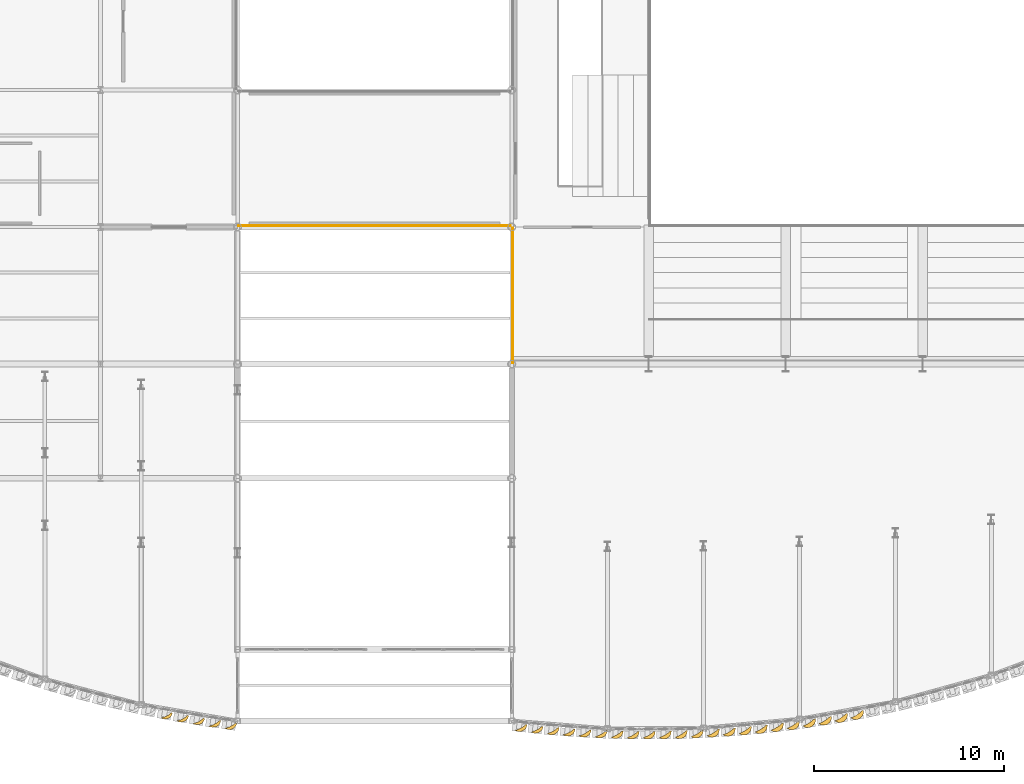
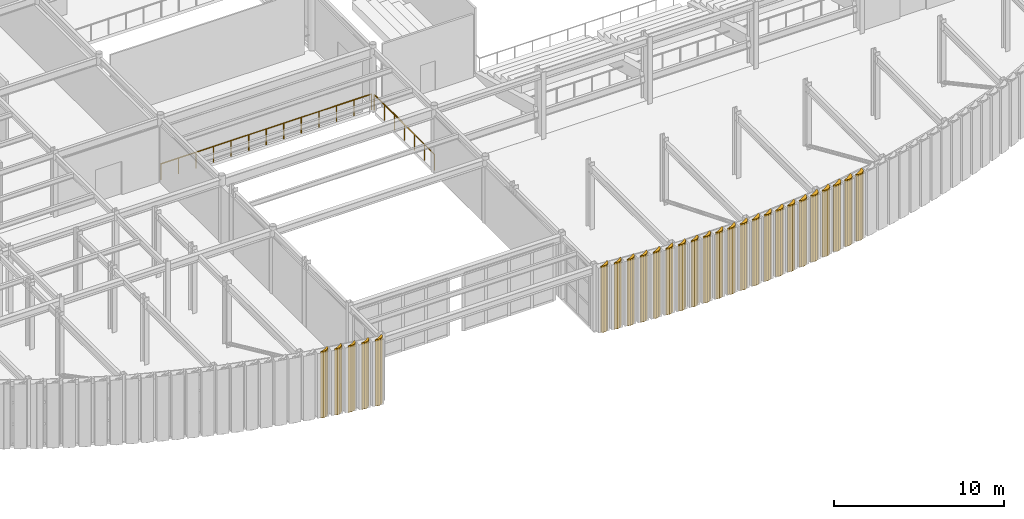
# One storey, part 110 of 121: 27 coverings, 2 railings.
"""IFC4 building model written with IfcOpenShell, lengths in metres."""

import ifcopenshell
import ifcopenshell.guid

model = None  # the IFC model being written
_history = None  # IfcOwnerHistory: only IFC2X3 demands one
_inside = {}  # id of a spatial element -> (the spatial element, [elements in it])
_under = {}  # id of a project, library or spatial element -> (it, [spatial elements below it])
_declared = {}  # id of a project -> (the project, [libraries it declares])
_typed = {}  # id of a type object -> (the type object, [elements of that type])
_made_of = {}  # id of a material, layer set ... -> (it, [elements and type objects made of it])


def new_model(schema):
    """Start an empty IFC model of exactly this schema.

    Asked for "IFC4X3", IfcOpenShell would pick the latest addendum, in which some entities
    have other attributes; the version numbers below select the first issue.
    IFC2X3 requires an IfcOwnerHistory on every rooted entity: one is made here for all.
    """
    global model, _history
    if schema == "IFC4X3":
        model = ifcopenshell.file(schema_version=(4, 3, 0, 0))
    else:
        model = ifcopenshell.file(schema=schema)
    _inside.clear()
    _under.clear()
    _declared.clear()
    _typed.clear()
    _made_of.clear()
    _history = None
    if model.schema == "IFC2X3":
        org = make("IfcOrganization", Name="unknown")
        user = make(
            "IfcPersonAndOrganization",
            ThePerson=make("IfcPerson", FamilyName="unknown"),
            TheOrganization=org,
        )
        app = make(
            "IfcApplication",
            ApplicationDeveloper=org,
            Version="unknown",
            ApplicationFullName="unknown",
            ApplicationIdentifier="unknown",
        )
        _history = make(
            "IfcOwnerHistory",
            OwningUser=user,
            OwningApplication=app,
            ChangeAction="ADDED",
            CreationDate=0,
        )
    return model


def make(cls, **values):
    """One entity of the class cls with the attributes given. An attribute that is None is left unset."""
    return model.create_entity(
        cls, **{name: value for name, value in values.items() if value is not None}
    )


def rooted(cls, **values):
    """An entity with a GlobalId (a new one), such as an element, a storey or a relation."""
    return make(cls, GlobalId=ifcopenshell.guid.new(), OwnerHistory=_history, **values)


def si_unit(unit_type, name, prefix=None):
    """IfcSIUnit, for example si_unit("LENGTHUNIT", "METRE", prefix="MILLI")."""
    return make("IfcSIUnit", UnitType=unit_type, Prefix=prefix, Name=name)


def assignment(units):
    """IfcUnitAssignment: the units of a project."""
    return None if units is None else make("IfcUnitAssignment", Units=units)


def point(xyz):
    """IfcCartesianPoint."""
    return None if xyz is None else make("IfcCartesianPoint", Coordinates=xyz)


def direction(xyz):
    """IfcDirection."""
    return None if xyz is None else make("IfcDirection", DirectionRatios=xyz)


def frame(location, z_axis=None, x_axis=None):
    """IfcAxis2Placement3D, a coordinate frame: its origin and axes. An axis left out is left unset."""
    return make(
        "IfcAxis2Placement3D",
        Location=point(location),
        Axis=direction(z_axis),
        RefDirection=direction(x_axis),
    )


def frame_2d(location, x_axis=None):
    """IfcAxis2Placement2D, a coordinate frame in the plane: its origin and x axis."""
    return make(
        "IfcAxis2Placement2D", Location=point(location), RefDirection=direction(x_axis)
    )


def origin():
    """The frame at (0, 0, 0) with its axes left unset."""
    return frame((0.0, 0.0, 0.0))


def origin_2d():
    """The frame at (0, 0) in the plane with its x axis left unset."""
    return frame_2d((0.0, 0.0))


def place(relative_to, where):
    """IfcLocalPlacement: puts the frame where relative to a parent placement (None: the world)."""
    return make(
        "IfcLocalPlacement", PlacementRelTo=relative_to, RelativePlacement=where
    )


def context(
    kind, dimensions, precision=None, world=None, true_north=None, identifier=None
):
    """IfcGeometricRepresentationContext, for example the 3D "Model" context."""
    return make(
        "IfcGeometricRepresentationContext",
        ContextIdentifier=identifier,
        ContextType=kind,
        CoordinateSpaceDimension=dimensions,
        Precision=precision,
        WorldCoordinateSystem=world,
        TrueNorth=true_north,
    )


def subcontext(parent, identifier, kind, view, scale=None):
    """IfcGeometricRepresentationSubContext, for example "Body" below "Model"."""
    return make(
        "IfcGeometricRepresentationSubContext",
        ContextIdentifier=identifier,
        ContextType=kind,
        ParentContext=parent,
        TargetScale=scale,
        TargetView=view,
    )


def project(units=None, contexts=None):
    """IfcProject with its units and contexts."""
    return rooted(
        "IfcProject",
        Name="project",
        RepresentationContexts=contexts,
        UnitsInContext=assignment(units),
    )


def spatial(cls, under=None, at=None, **own):
    """A site, building, storey or space (cls), placed at a placement, below another one or the project."""
    s = rooted(cls, ObjectPlacement=at, **own)
    if under is not None:
        _under.setdefault(under.id(), (under, []))[1].append(s)
    return s


def polyline(points):
    """IfcPolyline through the points."""
    return make("IfcPolyline", Points=[point(p) for p in points])


def profile(cls, at=None, kind="AREA", **sizes):
    """A parametric profile (cls). Its sizes go by their IFC names, for example OverallWidth=200.0."""
    return make(cls, ProfileType=kind, Position=at, **sizes)


def circle(**sizes):
    """IfcCircleProfileDef."""
    return profile("IfcCircleProfileDef", **sizes)


def outline(outer, holes=None, kind="AREA"):
    """IfcArbitraryClosedProfileDef: a profile drawn as a closed curve; with holes, ...WithVoids."""
    if holes is None:
        return make("IfcArbitraryClosedProfileDef", ProfileType=kind, OuterCurve=outer)
    return make(
        "IfcArbitraryProfileDefWithVoids",
        ProfileType=kind,
        OuterCurve=outer,
        InnerCurves=holes,
    )


def extrude(swept, where, along, depth):
    """IfcExtrudedAreaSolid: the profile swept, set in the frame where, extruded along a direction by depth."""
    return make(
        "IfcExtrudedAreaSolid",
        SweptArea=swept,
        Position=where,
        ExtrudedDirection=direction(along),
        Depth=depth,
    )


def shape(context_of_items, identifier, shape_type, items):
    """IfcShapeRepresentation: the items that make up one representation, for example the "Body"."""
    return make(
        "IfcShapeRepresentation",
        ContextOfItems=context_of_items,
        RepresentationIdentifier=identifier,
        RepresentationType=shape_type,
        Items=items,
    )


def material(Name=None, Category=None):
    """IfcMaterial."""
    return make("IfcMaterial", Name=Name, Category=Category)


def layer(
    of_material, thickness, ventilated=None, Name=None, Category=None, Priority=None
):
    """IfcMaterialLayer: one layer of a wall or slab, of a material (None: an air gap)."""
    return make(
        "IfcMaterialLayer",
        Material=of_material,
        LayerThickness=thickness,
        IsVentilated=ventilated,
        Name=Name,
        Category=Category,
        Priority=Priority,
    )


def layer_set(layers, Name=None):
    """IfcMaterialLayerSet."""
    return make("IfcMaterialLayerSet", MaterialLayers=layers, LayerSetName=Name)


def made_of(thing, what):
    """Note that an element or type object is made of a material, layer set ...; save() writes the relation."""
    if what is not None:
        _made_of.setdefault(what.id(), (what, []))[1].append(thing)
    return thing


def type_object(cls, material=None, **own):
    """A type object (cls), such as IfcWallType, which elements share."""
    return made_of(rooted(cls, **own), material)


def element(
    cls,
    number,
    at=None,
    inside=None,
    cuts=None,
    type_object=None,
    material=None,
    context=None,
    identifier="Body",
    shape_type=None,
    held_by="IfcProductDefinitionShape",
    body=None,
    shapes=None,
    **own,
):
    """One element of the class cls, such as IfcWall. Its Tag is "e" and its number.

    at: its placement. inside: the storey or other place that contains it. cuts: it is an
    opening in that element (IfcRelVoidsElement). A single representation is given by context,
    identifier, shape_type and body (its items); several are given by shapes. held_by: the class
    of the entity that holds the representations. save() writes the other relations.
    """
    e = rooted(cls, Tag="e%d" % number, ObjectPlacement=at, **own)
    if body is not None:
        shapes = [shape(context, identifier, shape_type, body)]
    if shapes is not None:
        e.Representation = make(held_by, Representations=shapes)
    if inside is not None:
        _inside.setdefault(inside.id(), (inside, []))[1].append(e)
    if cuts is not None:
        rooted(
            "IfcRelVoidsElement", RelatingBuildingElement=cuts, RelatedOpeningElement=e
        )
    if type_object is not None:
        _typed.setdefault(type_object.id(), (type_object, []))[1].append(e)
    return made_of(e, material)


def aggregate(whole, parts):
    """IfcRelAggregates: a whole, such as a stair, and the parts it consists of."""
    return rooted("IfcRelAggregates", RelatingObject=whole, RelatedObjects=parts)


def save(model, path):
    """Write the relations noted so far, then the file.

    IfcRelAggregates (storeys below a building ...), IfcRelContainedInSpatialStructure (elements
    in a storey), IfcRelDefinesByType, IfcRelAssociatesMaterial and IfcRelDeclares: one each for
    every whole, place, type object, material and project.
    """
    for whole, parts in _under.values():
        aggregate(whole, parts)
    for where, things in _inside.values():
        rooted(
            "IfcRelContainedInSpatialStructure",
            RelatedElements=things,
            RelatingStructure=where,
        )
    for kind, things in _typed.values():
        rooted("IfcRelDefinesByType", RelatedObjects=things, RelatingType=kind)
    for what, things in _made_of.values():
        rooted("IfcRelAssociatesMaterial", RelatedObjects=things, RelatingMaterial=what)
    for by, libraries in _declared.values():
        rooted("IfcRelDeclares", RelatingContext=by, RelatedDefinitions=libraries)
    model.write(path)


model = new_model("IFC4")

# Units and contexts
model_context = context("Model", 3, precision=1e-05, world=origin(), true_north=direction((0.0, 1.0)))
body_context = subcontext(model_context, "Body", "Model", "MODEL_VIEW")
ifc_project = project(units=[si_unit("LENGTHUNIT", "METRE"), si_unit("AREAUNIT", "SQUARE_METRE"), si_unit("VOLUMEUNIT", "CUBIC_METRE"), si_unit("PLANEANGLEUNIT", "RADIAN"), si_unit("MASSUNIT", "GRAM", prefix="KILO")], contexts=[model_context])

# Site, building, storey
site_placement = place(None, origin())
site = spatial("IfcSite", under=ifc_project, at=site_placement, CompositionType="ELEMENT")
building_placement = place(site_placement, origin())
building = spatial("IfcBuilding", under=site, at=building_placement, Name="Solvadek Multi-Sports Hall", CompositionType="ELEMENT")
storey_placement = place(building_placement, frame((0.0, 0.0, 4.800048828125)))
storey = spatial("IfcBuildingStorey", under=building, at=storey_placement, Name="L01", CompositionType="ELEMENT", Elevation=4.800048828125)

# Coverings
ifc_material_1 = material(Name="Perforated champagne-bronze anodised aluminium", Category="aluminium")
ifc_layer = layer(ifc_material_1, 0.06494140625, Name="Perforated champagne-bronze anodised aluminium")
ifc_layer_set = layer_set([ifc_layer], Name="Perforated champagne-bronze anodised aluminium")
covering_type = type_object("IfcCoveringType", Name="ENV-COV-FLUTED", PredefinedType="CLADDING", material=ifc_layer_set)
covering_1_placement = place(storey_placement, frame((0.0, 0.0, 0.010009765625)))
element("IfcCovering", 1, at=covering_1_placement, inside=storey, type_object=covering_type, Name="L01 Perforated Bronze Half-Cylinder Fluted Shell #98", PredefinedType="CLADDING", context=body_context, shape_type="SweptSolid", body=[
    extrude(outline(polyline([(68.5869140625, -12.325439453125), (68.525634765625, -12.47314453125), (68.412353515625, -12.586181640625), (68.264404296875, -12.647216796875), (68.1044921875, -12.647216796875), (67.956787109375, -12.585693359375), (67.84375, -12.472412109375), (67.78271484375, -12.32470703125), (67.782958984375, -12.16455078125), (67.8466796875, -12.177490234375), (67.742919921875, -12.31201171875), (67.70654296875, -12.436279296875), (67.742919921875, -12.53173828125), (67.8466796875, -12.58349609375), (68.001953125, -12.58349609375), (68.18505859375, -12.5322265625), (68.367919921875, -12.43701171875), (68.523193359375, -12.312744140625), (68.5869140625, -12.325439453125)])), origin(), (0.0, 0.0, 1.0), 4.77001953125),
])
covering_2_placement = place(storey_placement, frame((0.0, 0.0, 0.010009765625)))
element("IfcCovering", 2, at=covering_2_placement, inside=storey, type_object=covering_type, Name="L01 Perforated Bronze Half-Cylinder Fluted Shell #101", PredefinedType="CLADDING", context=body_context, shape_type="SweptSolid", body=[
    extrude(outline(polyline([(69.435546875, -12.47021484375), (69.37841796875, -12.61962890625), (69.2685546875, -12.73583984375), (69.12255859375, -12.80126953125), (68.962646484375, -12.8056640625), (68.813232421875, -12.748779296875), (68.697021484375, -12.638916015625), (68.631591796875, -12.492919921875), (68.627197265625, -12.3330078125), (68.691162109375, -12.34375), (68.5869140625, -12.478515625), (68.55029296875, -12.601318359375), (68.5869140625, -12.693603515625), (68.691162109375, -12.74169921875), (68.84716796875, -12.73779296875), (69.03125, -12.682861328125), (69.21533203125, -12.5849609375), (69.371337890625, -12.459228515625), (69.435546875, -12.47021484375)])), origin(), (0.0, 0.0, 1.0), 4.77001953125),
])
covering_3_placement = place(storey_placement, frame((0.0, 0.0, 0.010009765625)))
element("IfcCovering", 3, at=covering_3_placement, inside=storey, type_object=covering_type, Name="L01 Perforated Bronze Half-Cylinder Fluted Shell #102", PredefinedType="CLADDING", context=body_context, shape_type="SweptSolid", body=[
    extrude(outline(polyline([(70.27880859375, -12.613037109375), (70.221923828125, -12.7626953125), (70.112060546875, -12.87890625), (69.966064453125, -12.9443359375), (69.80615234375, -12.94873046875), (69.656494140625, -12.891845703125), (69.540283203125, -12.781982421875), (69.47509765625, -12.635986328125), (69.470458984375, -12.47607421875), (69.534423828125, -12.48681640625), (69.430419921875, -12.621337890625), (69.3935546875, -12.744384765625), (69.430419921875, -12.836669921875), (69.534423828125, -12.884765625), (69.690673828125, -12.880859375), (69.874755859375, -12.825927734375), (70.058837890625, -12.72802734375), (70.21484375, -12.602294921875), (70.27880859375, -12.613037109375)])), origin(), (0.0, 0.0, 1.0), 4.77001953125),
])
covering_4_placement = place(storey_placement, frame((0.0, 0.0, 0.010009765625)))
element("IfcCovering", 4, at=covering_4_placement, inside=storey, type_object=covering_type, Name="L01 Perforated Bronze Half-Cylinder Fluted Shell #105", PredefinedType="CLADDING", context=body_context, shape_type="SweptSolid", body=[
    extrude(outline(polyline([(71.127197265625, -12.732177734375), (71.074462890625, -12.883056640625), (70.968017578125, -13.002685546875), (70.823974609375, -13.072265625), (70.664306640625, -13.08154296875), (70.51318359375, -13.02880859375), (70.393798828125, -12.922607421875), (70.32421875, -12.7783203125), (70.31494140625, -12.61865234375), (70.37939453125, -12.627685546875), (70.274658203125, -12.76220703125), (70.23779296875, -12.88330078125), (70.274658203125, -12.972900390625), (70.37939453125, -13.01708984375), (70.5361328125, -13.00927734375), (70.720947265625, -12.95068359375), (70.906005859375, -12.85009765625), (71.062744140625, -12.72314453125), (71.127197265625, -12.732177734375)])), origin(), (0.0, 0.0, 1.0), 4.77001953125),
])
covering_5_placement = place(storey_placement, frame((0.0, 0.0, 0.010009765625)))
element("IfcCovering", 5, at=covering_5_placement, inside=storey, type_object=covering_type, Name="L01 Perforated Bronze Half-Cylinder Fluted Shell #106", PredefinedType="CLADDING", context=body_context, shape_type="SweptSolid", body=[
    extrude(outline(polyline([(71.970458984375, -12.849853515625), (71.91796875, -13.000732421875), (71.8115234375, -13.120361328125), (71.66748046875, -13.18994140625), (71.5078125, -13.19921875), (71.356689453125, -13.146484375), (71.2373046875, -13.040283203125), (71.16748046875, -12.89599609375), (71.158447265625, -12.736328125), (71.222900390625, -12.745361328125), (71.117919921875, -12.8798828125), (71.081298828125, -13.0009765625), (71.117919921875, -13.090576171875), (71.222900390625, -13.134765625), (71.37939453125, -13.126953125), (71.564453125, -13.068359375), (71.74951171875, -12.968017578125), (71.906005859375, -12.8408203125), (71.970458984375, -12.849853515625)])), origin(), (0.0, 0.0, 1.0), 4.77001953125),
])
covering_6_placement = place(storey_placement, frame((0.0, 0.0, 0.010009765625)))
element("IfcCovering", 6, at=covering_6_placement, inside=storey, type_object=covering_type, Name="L01 Perforated Bronze Half-Cylinder Fluted Shell #109", PredefinedType="CLADDING", context=body_context, shape_type="SweptSolid", body=[
    extrude(outline(polyline([(87.216552734375, -12.943359375), (87.16845703125, -13.095703125), (87.065673828125, -13.21826171875), (86.923583984375, -13.2919921875), (86.764404296875, -13.305908203125), (86.61181640625, -13.2578125), (86.4892578125, -13.155029296875), (86.415283203125, -13.012939453125), (86.401611328125, -12.853759765625), (86.466064453125, -12.86083984375), (86.361083984375, -12.994873046875), (86.32421875, -13.1142578125), (86.361083984375, -13.200927734375), (86.466064453125, -13.241455078125), (86.62353515625, -13.229736328125), (86.80908203125, -13.16748046875), (86.99462890625, -13.064453125), (87.152099609375, -12.936279296875), (87.216552734375, -12.943359375)])), origin(), (0.0, 0.0, 1.0), 4.77001953125),
])
covering_7_placement = place(storey_placement, frame((0.0, 0.0, 0.010009765625)))
element("IfcCovering", 7, at=covering_7_placement, inside=storey, type_object=covering_type, Name="L01 Perforated Bronze Half-Cylinder Fluted Shell #110", PredefinedType="CLADDING", context=body_context, shape_type="SweptSolid", body=[
    extrude(outline(polyline([(88.056640625, -13.03564453125), (88.00830078125, -13.188232421875), (87.905517578125, -13.310791015625), (87.763671875, -13.384521484375), (87.604248046875, -13.3984375), (87.45166015625, -13.35009765625), (87.3291015625, -13.247314453125), (87.25537109375, -13.10546875), (87.241455078125, -12.946044921875), (87.30615234375, -12.953125), (87.200927734375, -13.087158203125), (87.1640625, -13.206787109375), (87.200927734375, -13.293212890625), (87.30615234375, -13.333740234375), (87.46337890625, -13.322021484375), (87.649169921875, -13.260009765625), (87.834716796875, -13.156982421875), (87.991943359375, -13.028564453125), (88.056640625, -13.03564453125)])), origin(), (0.0, 0.0, 1.0), 4.77001953125),
])
covering_8_placement = place(storey_placement, frame((0.0, 0.0, 0.010009765625)))
element("IfcCovering", 8, at=covering_8_placement, inside=storey, type_object=covering_type, Name="L01 Perforated Bronze Half-Cylinder Fluted Shell #113", PredefinedType="CLADDING", context=body_context, shape_type="SweptSolid", body=[
    extrude(outline(polyline([(88.900634765625, -13.104248046875), (88.85693359375, -13.258056640625), (88.757568359375, -13.383544921875), (88.617919921875, -13.46142578125), (88.458984375, -13.479736328125), (88.30517578125, -13.43603515625), (88.1796875, -13.3369140625), (88.101806640625, -13.197021484375), (88.083251953125, -13.0380859375), (88.148193359375, -13.04345703125), (88.042724609375, -13.177001953125), (88.005615234375, -13.294677734375), (88.042724609375, -13.37841796875), (88.148193359375, -13.4150390625), (88.305908203125, -13.3994140625), (88.491943359375, -13.333984375), (88.677978515625, -13.228515625), (88.835693359375, -13.098876953125), (88.900634765625, -13.104248046875)])), origin(), (0.0, 0.0, 1.0), 4.77001953125),
])
covering_9_placement = place(storey_placement, frame((0.0, 0.0, 0.010009765625)))
element("IfcCovering", 9, at=covering_9_placement, inside=storey, type_object=covering_type, Name="L01 Perforated Bronze Half-Cylinder Fluted Shell #114", PredefinedType="CLADDING", context=body_context, shape_type="SweptSolid", body=[
    extrude(outline(polyline([(89.740478515625, -13.172119140625), (89.697021484375, -13.32568359375), (89.59765625, -13.451416015625), (89.4580078125, -13.529296875), (89.299072265625, -13.547607421875), (89.14501953125, -13.50390625), (89.019775390625, -13.404541015625), (88.94189453125, -13.264892578125), (88.92333984375, -13.10595703125), (88.988037109375, -13.111083984375), (88.8828125, -13.244873046875), (88.845703125, -13.362548828125), (88.8828125, -13.446044921875), (88.988037109375, -13.48291015625), (89.145751953125, -13.46728515625), (89.33203125, -13.40185546875), (89.51806640625, -13.296142578125), (89.67578125, -13.166748046875), (89.740478515625, -13.172119140625)])), origin(), (0.0, 0.0, 1.0), 4.77001953125),
])
covering_10_placement = place(storey_placement, frame((0.0, 0.0, 0.010009765625)))
element("IfcCovering", 10, at=covering_10_placement, inside=storey, type_object=covering_type, Name="L01 Perforated Bronze Half-Cylinder Fluted Shell #117", PredefinedType="CLADDING", context=body_context, shape_type="SweptSolid", body=[
    extrude(outline(polyline([(90.584228515625, -13.2158203125), (90.544921875, -13.37109375), (90.449462890625, -13.499267578125), (90.31201171875, -13.5810546875), (90.15380859375, -13.604248046875), (89.99853515625, -13.56494140625), (89.870361328125, -13.46923828125), (89.78857421875, -13.331787109375), (89.765380859375, -13.173583984375), (89.830322265625, -13.177001953125), (89.724609375, -13.310302734375), (89.6875, -13.42578125), (89.724609375, -13.50634765625), (89.830322265625, -13.539306640625), (89.98828125, -13.52001953125), (90.1748046875, -13.450927734375), (90.361328125, -13.343017578125), (90.519287109375, -13.21240234375), (90.584228515625, -13.2158203125)])), origin(), (0.0, 0.0, 1.0), 4.77001953125),
])
covering_11_placement = place(storey_placement, frame((0.0, 0.0, 0.010009765625)))
element("IfcCovering", 11, at=covering_11_placement, inside=storey, type_object=covering_type, Name="L01 Perforated Bronze Half-Cylinder Fluted Shell #118", PredefinedType="CLADDING", context=body_context, shape_type="SweptSolid", body=[
    extrude(outline(polyline([(91.42431640625, -13.25927734375), (91.385009765625, -13.414306640625), (91.289306640625, -13.54248046875), (91.152099609375, -13.62451171875), (90.99365234375, -13.6474609375), (90.838623046875, -13.6083984375), (90.71044921875, -13.5126953125), (90.62841796875, -13.375244140625), (90.60546875, -13.217041015625), (90.67041015625, -13.22021484375), (90.564697265625, -13.353515625), (90.527587890625, -13.468994140625), (90.564697265625, -13.549560546875), (90.67041015625, -13.58251953125), (90.828369140625, -13.563232421875), (91.014892578125, -13.494384765625), (91.201416015625, -13.386474609375), (91.359375, -13.255859375), (91.42431640625, -13.25927734375)])), origin(), (0.0, 0.0, 1.0), 4.77001953125),
])
covering_12_placement = place(storey_placement, frame((0.0, 0.0, 0.010009765625)))
element("IfcCovering", 12, at=covering_12_placement, inside=storey, type_object=covering_type, Name="L01 Perforated Bronze Half-Cylinder Fluted Shell #121", PredefinedType="CLADDING", context=body_context, shape_type="SweptSolid", body=[
    extrude(outline(polyline([(92.267578125, -13.27880859375), (92.23291015625, -13.434814453125), (92.14111328125, -13.56591796875), (92.006103515625, -13.651611328125), (91.848388671875, -13.67919921875), (91.6923828125, -13.64453125), (91.561279296875, -13.552734375), (91.4755859375, -13.417724609375), (91.44775390625, -13.260009765625), (91.5126953125, -13.26171875), (91.406982421875, -13.394287109375), (91.3701171875, -13.5078125), (91.406982421875, -13.585205078125), (91.5126953125, -13.6142578125), (91.671142578125, -13.591064453125), (91.857666015625, -13.518798828125), (92.04443359375, -13.40869140625), (92.20263671875, -13.277099609375), (92.267578125, -13.27880859375)])), origin(), (0.0, 0.0, 1.0), 4.77001953125),
])
covering_13_placement = place(storey_placement, frame((0.0, 0.0, 0.010009765625)))
element("IfcCovering", 13, at=covering_13_placement, inside=storey, type_object=covering_type, Name="L01 Perforated Bronze Half-Cylinder Fluted Shell #122", PredefinedType="CLADDING", context=body_context, shape_type="SweptSolid", body=[
    extrude(outline(polyline([(93.107666015625, -13.297607421875), (93.072998046875, -13.453857421875), (92.98095703125, -13.5849609375), (92.845947265625, -13.670654296875), (92.6884765625, -13.6982421875), (92.5322265625, -13.66357421875), (92.4013671875, -13.57177734375), (92.3154296875, -13.436767578125), (92.287841796875, -13.279296875), (92.352783203125, -13.280517578125), (92.2470703125, -13.4130859375), (92.2099609375, -13.52685546875), (92.2470703125, -13.60400390625), (92.352783203125, -13.63330078125), (92.510986328125, -13.610107421875), (92.69775390625, -13.537841796875), (92.884521484375, -13.427734375), (93.04248046875, -13.29638671875), (93.107666015625, -13.297607421875)])), origin(), (0.0, 0.0, 1.0), 4.77001953125),
])
covering_14_placement = place(storey_placement, frame((0.0, 0.0, 0.010009765625)))
element("IfcCovering", 14, at=covering_14_placement, inside=storey, type_object=covering_type, Name="L01 Perforated Bronze Half-Cylinder Fluted Shell #125", PredefinedType="CLADDING", context=body_context, shape_type="SweptSolid", body=[
    extrude(outline(polyline([(93.95068359375, -13.29296875), (93.92041015625, -13.449951171875), (93.832275390625, -13.58349609375), (93.699951171875, -13.673095703125), (93.543212890625, -13.705322265625), (93.385986328125, -13.67529296875), (93.25244140625, -13.587158203125), (93.162841796875, -13.45458984375), (93.130615234375, -13.2978515625), (93.195556640625, -13.297607421875), (93.08984375, -13.429443359375), (93.052734375, -13.541015625), (93.08984375, -13.614990234375), (93.195556640625, -13.640380859375), (93.35400390625, -13.61328125), (93.54052734375, -13.537841796875), (93.727294921875, -13.42529296875), (93.885498046875, -13.293212890625), (93.95068359375, -13.29296875)])), origin(), (0.0, 0.0, 1.0), 4.77001953125),
])
covering_15_placement = place(storey_placement, frame((0.0, 0.0, 0.010009765625)))
element("IfcCovering", 15, at=covering_15_placement, inside=storey, type_object=covering_type, Name="L01 Perforated Bronze Half-Cylinder Fluted Shell #126", PredefinedType="CLADDING", context=body_context, shape_type="SweptSolid", body=[
    extrude(outline(polyline([(94.79052734375, -13.28759765625), (94.760498046875, -13.44482421875), (94.67236328125, -13.578369140625), (94.539794921875, -13.66796875), (94.38330078125, -13.7001953125), (94.22607421875, -13.669921875), (94.092529296875, -13.581787109375), (94.002685546875, -13.449462890625), (93.970703125, -13.292724609375), (94.03564453125, -13.292236328125), (93.929931640625, -13.42431640625), (93.892578125, -13.53564453125), (93.929931640625, -13.609619140625), (94.03564453125, -13.63525390625), (94.19384765625, -13.608154296875), (94.380615234375, -13.53271484375), (94.5673828125, -13.420166015625), (94.7255859375, -13.2880859375), (94.79052734375, -13.28759765625)])), origin(), (0.0, 0.0, 1.0), 4.77001953125),
])
covering_16_placement = place(storey_placement, frame((0.0, 0.0, 0.010009765625)))
element("IfcCovering", 16, at=covering_16_placement, inside=storey, type_object=covering_type, Name="L01 Perforated Bronze Half-Cylinder Fluted Shell #129", PredefinedType="CLADDING", context=body_context, shape_type="SweptSolid", body=[
    extrude(outline(polyline([(95.63330078125, -13.25830078125), (95.607666015625, -13.416259765625), (95.5234375, -13.552490234375), (95.3935546875, -13.64599609375), (95.23779296875, -13.6826171875), (95.080078125, -13.656982421875), (94.94384765625, -13.57275390625), (94.850341796875, -13.44287109375), (94.813720703125, -13.287109375), (94.878662109375, -13.284912109375), (94.77294921875, -13.416015625), (94.73583984375, -13.525146484375), (94.77294921875, -13.595947265625), (94.878662109375, -13.61767578125), (95.036865234375, -13.586669921875), (95.223388671875, -13.508056640625), (95.41015625, -13.3935546875), (95.568359375, -13.2607421875), (95.63330078125, -13.25830078125)])), origin(), (0.0, 0.0, 1.0), 4.77001953125),
])
covering_17_placement = place(storey_placement, frame((0.0, 0.0, 0.010009765625)))
element("IfcCovering", 17, at=covering_17_placement, inside=storey, type_object=covering_type, Name="L01 Perforated Bronze Half-Cylinder Fluted Shell #130", PredefinedType="CLADDING", context=body_context, shape_type="SweptSolid", body=[
    extrude(outline(polyline([(96.473388671875, -13.22900390625), (96.447509765625, -13.386962890625), (96.36328125, -13.52294921875), (96.233642578125, -13.616455078125), (96.077880859375, -13.653076171875), (95.919921875, -13.62744140625), (95.783935546875, -13.543212890625), (95.6904296875, -13.413330078125), (95.65380859375, -13.2578125), (95.71875, -13.255615234375), (95.613037109375, -13.386474609375), (95.575927734375, -13.49560546875), (95.613037109375, -13.56640625), (95.71875, -13.588134765625), (95.876953125, -13.557373046875), (96.0634765625, -13.478515625), (96.25, -13.364013671875), (96.408203125, -13.231201171875), (96.473388671875, -13.22900390625)])), origin(), (0.0, 0.0, 1.0), 4.77001953125),
])
covering_18_placement = place(storey_placement, frame((0.0, 0.0, 0.010009765625)))
element("IfcCovering", 18, at=covering_18_placement, inside=storey, type_object=covering_type, Name="L01 Perforated Bronze Half-Cylinder Fluted Shell #133", PredefinedType="CLADDING", context=body_context, shape_type="SweptSolid", body=[
    extrude(outline(polyline([(97.315673828125, -13.17529296875), (97.29443359375, -13.333984375), (97.214111328125, -13.472412109375), (97.087158203125, -13.569580078125), (96.9326171875, -13.61083984375), (96.77392578125, -13.589599609375), (96.635498046875, -13.509521484375), (96.538330078125, -13.38232421875), (96.497314453125, -13.227783203125), (96.56201171875, -13.2236328125), (96.45654296875, -13.353759765625), (96.41943359375, -13.460693359375), (96.45654296875, -13.528076171875), (96.56201171875, -13.5458984375), (96.72021484375, -13.51123046875), (96.906494140625, -13.429443359375), (97.0927734375, -13.31298828125), (97.250732421875, -13.179443359375), (97.315673828125, -13.17529296875)])), origin(), (0.0, 0.0, 1.0), 4.77001953125),
])
covering_19_placement = place(storey_placement, frame((0.0, 0.0, 0.010009765625)))
element("IfcCovering", 19, at=covering_19_placement, inside=storey, type_object=covering_type, Name="L01 Perforated Bronze Half-Cylinder Fluted Shell #134", PredefinedType="CLADDING", context=body_context, shape_type="SweptSolid", body=[
    extrude(outline(polyline([(98.155517578125, -13.12158203125), (98.134521484375, -13.2802734375), (98.05419921875, -13.418701171875), (97.92724609375, -13.515869140625), (97.772705078125, -13.556884765625), (97.614013671875, -13.535888671875), (97.4755859375, -13.45556640625), (97.37841796875, -13.32861328125), (97.337158203125, -13.174072265625), (97.402099609375, -13.169921875), (97.29638671875, -13.2998046875), (97.259521484375, -13.40673828125), (97.29638671875, -13.474365234375), (97.402099609375, -13.4921875), (97.56005859375, -13.45751953125), (97.746337890625, -13.375732421875), (97.9326171875, -13.25927734375), (98.0908203125, -13.125732421875), (98.155517578125, -13.12158203125)])), origin(), (0.0, 0.0, 1.0), 4.77001953125),
])
covering_20_placement = place(storey_placement, frame((0.0, 0.0, 0.010009765625)))
element("IfcCovering", 20, at=covering_20_placement, inside=storey, type_object=covering_type, Name="L01 Perforated Bronze Half-Cylinder Fluted Shell #137", PredefinedType="CLADDING", context=body_context, shape_type="SweptSolid", body=[
    extrude(outline(polyline([(98.99755859375, -13.04345703125), (98.98095703125, -13.20263671875), (98.90478515625, -13.34326171875), (98.78076171875, -13.444091796875), (98.627197265625, -13.48974609375), (98.46826171875, -13.47314453125), (98.327392578125, -13.397216796875), (98.226806640625, -13.27294921875), (98.18115234375, -13.11962890625), (98.245849609375, -13.113525390625), (98.140380859375, -13.24267578125), (98.103515625, -13.34716796875), (98.140380859375, -13.4111328125), (98.245849609375, -13.425048828125), (98.4033203125, -13.38671875), (98.58935546875, -13.3017578125), (98.775146484375, -13.183349609375), (98.932861328125, -13.049560546875), (98.99755859375, -13.04345703125)])), origin(), (0.0, 0.0, 1.0), 4.77001953125),
])
covering_21_placement = place(storey_placement, frame((0.0, 0.0, 0.010009765625)))
element("IfcCovering", 21, at=covering_21_placement, inside=storey, type_object=covering_type, Name="L01 Perforated Bronze Half-Cylinder Fluted Shell #138", PredefinedType="CLADDING", context=body_context, shape_type="SweptSolid", body=[
    extrude(outline(polyline([(99.83740234375, -12.965087890625), (99.821044921875, -13.124267578125), (99.744873046875, -13.264892578125), (99.62060546875, -13.36572265625), (99.46728515625, -13.411376953125), (99.30810546875, -13.39501953125), (99.16748046875, -13.31884765625), (99.066650390625, -13.194580078125), (99.02099609375, -13.041259765625), (99.085693359375, -13.03515625), (98.98046875, -13.164306640625), (98.943603515625, -13.268798828125), (98.98046875, -13.332763671875), (99.085693359375, -13.3466796875), (99.243408203125, -13.308349609375), (99.42919921875, -13.223388671875), (99.615234375, -13.10498046875), (99.772705078125, -12.97119140625), (99.83740234375, -12.965087890625)])), origin(), (0.0, 0.0, 1.0), 4.77001953125),
])
covering_22_placement = place(storey_placement, frame((0.0, 0.0, 0.010009765625)))
element("IfcCovering", 22, at=covering_22_placement, inside=storey, type_object=covering_type, Name="L01 Perforated Bronze Half-Cylinder Fluted Shell #141", PredefinedType="CLADDING", context=body_context, shape_type="SweptSolid", body=[
    extrude(outline(polyline([(100.67919921875, -12.8623046875), (100.667236328125, -13.02197265625), (100.59521484375, -13.164794921875), (100.47412109375, -13.269287109375), (100.322021484375, -13.319091796875), (100.16259765625, -13.307373046875), (100.019775390625, -13.2353515625), (99.915283203125, -13.114013671875), (99.865234375, -12.962158203125), (99.9296875, -12.954345703125), (99.82470703125, -13.08203125), (99.787841796875, -13.18408203125), (99.82470703125, -13.24462890625), (99.9296875, -13.254638671875), (100.0869140625, -13.212646484375), (100.272216796875, -13.124755859375), (100.45751953125, -13.004638671875), (100.614501953125, -12.870361328125), (100.67919921875, -12.8623046875)])), origin(), (0.0, 0.0, 1.0), 4.77001953125),
])
covering_23_placement = place(storey_placement, frame((0.0, 0.0, 0.010009765625)))
element("IfcCovering", 23, at=covering_23_placement, inside=storey, type_object=covering_type, Name="L01 Perforated Bronze Half-Cylinder Fluted Shell #142", PredefinedType="CLADDING", context=body_context, shape_type="SweptSolid", body=[
    extrude(outline(polyline([(101.51904296875, -12.759521484375), (101.507080078125, -12.9189453125), (101.435302734375, -13.061767578125), (101.31396484375, -13.166259765625), (101.162109375, -13.21630859375), (101.00244140625, -13.204345703125), (100.859619140625, -13.13232421875), (100.75537109375, -13.010986328125), (100.705078125, -12.859130859375), (100.769775390625, -12.851318359375), (100.664794921875, -12.979248046875), (100.6279296875, -13.0810546875), (100.664794921875, -13.141845703125), (100.769775390625, -13.15185546875), (100.9267578125, -13.109619140625), (101.1123046875, -13.021728515625), (101.297607421875, -12.901611328125), (101.45458984375, -12.767333984375), (101.51904296875, -12.759521484375)])), origin(), (0.0, 0.0, 1.0), 4.77001953125),
])
covering_24_placement = place(storey_placement, frame((0.0, 0.0, 0.010009765625)))
element("IfcCovering", 24, at=covering_24_placement, inside=storey, type_object=covering_type, Name="L01 Perforated Bronze Half-Cylinder Fluted Shell #145", PredefinedType="CLADDING", context=body_context, shape_type="SweptSolid", body=[
    extrude(outline(polyline([(102.3603515625, -12.6318359375), (102.35302734375, -12.79150390625), (102.285400390625, -12.9365234375), (102.167236328125, -13.04443359375), (102.016845703125, -13.098876953125), (101.85693359375, -13.091552734375), (101.712158203125, -13.023681640625), (101.604248046875, -12.905517578125), (101.5498046875, -12.755126953125), (101.614013671875, -12.745361328125), (101.509521484375, -12.8720703125), (101.47265625, -12.971435546875), (101.509521484375, -13.028564453125), (101.614013671875, -13.03466796875), (101.7705078125, -12.98876953125), (101.955078125, -12.89794921875), (102.1396484375, -12.776123046875), (102.296142578125, -12.6416015625), (102.3603515625, -12.6318359375)])), origin(), (0.0, 0.0, 1.0), 4.77001953125),
])
covering_25_placement = place(storey_placement, frame((0.0, 0.0, 0.010009765625)))
element("IfcCovering", 25, at=covering_25_placement, inside=storey, type_object=covering_type, Name="L01 Perforated Bronze Half-Cylinder Fluted Shell #146", PredefinedType="CLADDING", context=body_context, shape_type="SweptSolid", body=[
    extrude(outline(polyline([(103.200439453125, -12.50390625), (103.193115234375, -12.663818359375), (103.125244140625, -12.80859375), (103.007080078125, -12.91650390625), (102.856689453125, -12.970947265625), (102.697021484375, -12.963623046875), (102.552001953125, -12.89599609375), (102.444091796875, -12.777587890625), (102.3896484375, -12.627197265625), (102.4541015625, -12.617431640625), (102.349365234375, -12.744140625), (102.312744140625, -12.843505859375), (102.349365234375, -12.900634765625), (102.4541015625, -12.90673828125), (102.610595703125, -12.86083984375), (102.795166015625, -12.77001953125), (102.9794921875, -12.648193359375), (103.135986328125, -12.513671875), (103.200439453125, -12.50390625)])), origin(), (0.0, 0.0, 1.0), 4.77001953125),
])
covering_26_placement = place(storey_placement, frame((0.0, 0.0, 0.010009765625)))
element("IfcCovering", 26, at=covering_26_placement, inside=storey, type_object=covering_type, Name="L01 Perforated Bronze Half-Cylinder Fluted Shell #149", PredefinedType="CLADDING", context=body_context, shape_type="SweptSolid", body=[
    extrude(outline(polyline([(104.041259765625, -12.35107421875), (104.038818359375, -12.510986328125), (103.97509765625, -12.65771484375), (103.8603515625, -12.76904296875), (103.71142578125, -12.827880859375), (103.551513671875, -12.825439453125), (103.40478515625, -12.76171875), (103.29345703125, -12.64697265625), (103.234619140625, -12.498046875), (103.298583984375, -12.486572265625), (103.194580078125, -12.611572265625), (103.157958984375, -12.708251953125), (103.194580078125, -12.76171875), (103.298583984375, -12.763916015625), (103.454345703125, -12.714599609375), (103.637939453125, -12.620849609375), (103.821533203125, -12.497314453125), (103.977294921875, -12.36279296875), (104.041259765625, -12.35107421875)])), origin(), (0.0, 0.0, 1.0), 4.77001953125),
])
covering_27_placement = place(storey_placement, frame((0.0, 0.0, 0.010009765625)))
element("IfcCovering", 27, at=covering_27_placement, inside=storey, type_object=covering_type, Name="L01 Perforated Bronze Half-Cylinder Fluted Shell #150", PredefinedType="CLADDING", context=body_context, shape_type="SweptSolid", body=[
    extrude(outline(polyline([(104.88134765625, -12.19775390625), (104.878662109375, -12.35791015625), (104.815185546875, -12.504638671875), (104.7001953125, -12.615966796875), (104.551513671875, -12.6748046875), (104.3916015625, -12.672119140625), (104.24462890625, -12.608642578125), (104.13330078125, -12.49365234375), (104.07470703125, -12.344970703125), (104.138427734375, -12.333251953125), (104.034423828125, -12.45849609375), (103.998046875, -12.55517578125), (104.034423828125, -12.608642578125), (104.138427734375, -12.61083984375), (104.294189453125, -12.561279296875), (104.477783203125, -12.467529296875), (104.66162109375, -12.343994140625), (104.8173828125, -12.20947265625), (104.88134765625, -12.19775390625)])), origin(), (0.0, 0.0, 1.0), 4.77001953125),
])

# Railings
ifc_material_2 = material(Name="Steel E250 (250 MPa)", Category="steel")
railing_type = type_object("IfcRailingType", Name="INT-RAL-GRD115", PredefinedType="BALUSTRADE", material=ifc_material_2)
railing_1_placement = place(storey_placement, frame((86.4599609375, 6.06005859375, 0.0)))
element("IfcRailing", 28, at=railing_1_placement, inside=storey, type_object=railing_type, Name="L01 Void Edge Balustrade Guard #14", PredefinedType="BALUSTRADE", context=body_context, shape_type="SweptSolid", body=[
    extrude(circle(Radius=0.02392578125, at=origin_2d()), frame((0.0, 0.0, 1.1259765625), z_axis=(0.0, 1.0, 0.0), x_axis=(-1.0, 0.0, 0.0)), (0.0, 0.0, 1.0), 7.079833984375),
    extrude(circle(Radius=0.02099609375, at=origin_2d()), origin(), (0.0, 0.0, 1.0), 1.101806640625),
    extrude(circle(Radius=0.02099609375, at=origin_2d()), frame((0.0, 1.179931640625, 0.0)), (0.0, 0.0, 1.0), 1.101806640625),
    extrude(circle(Radius=0.02099609375, at=origin_2d()), frame((0.0, 2.35986328125, 0.0)), (0.0, 0.0, 1.0), 1.101806640625),
    extrude(circle(Radius=0.02099609375, at=origin_2d()), frame((0.0, 3.5400390625, 0.0)), (0.0, 0.0, 1.0), 1.101806640625),
    extrude(circle(Radius=0.02099609375, at=origin_2d()), frame((0.0, 4.719970703125, 0.0)), (0.0, 0.0, 1.0), 1.101806640625),
    extrude(circle(Radius=0.02099609375, at=origin_2d()), frame((0.0, 5.89990234375, 0.0)), (0.0, 0.0, 1.0), 1.101806640625),
    extrude(circle(Radius=0.02099609375, at=origin_2d()), frame((0.0, 7.079833984375, 0.0)), (0.0, 0.0, 1.0), 1.101806640625),
])
railing_2_placement = place(storey_placement, frame((72.06005859375, 13.260009765625, 0.0)))
element("IfcRailing", 29, at=railing_2_placement, inside=storey, type_object=railing_type, Name="L01 Void Edge Balustrade Guard #45", PredefinedType="BALUSTRADE", context=body_context, shape_type="SweptSolid", body=[
    extrude(circle(Radius=0.02392578125, at=origin_2d()), frame((0.0, 0.0, 1.1259765625), z_axis=(1.0, 0.0, 0.0), x_axis=(0.0, 1.0, 0.0)), (0.0, 0.0, 1.0), 14.280029296875),
    extrude(circle(Radius=0.02099609375, at=origin_2d()), origin(), (0.0, 0.0, 1.0), 1.101806640625),
    extrude(circle(Radius=0.02099609375, at=origin_2d()), frame((1.18994140625, 0.0, 0.0)), (0.0, 0.0, 1.0), 1.101806640625),
    extrude(circle(Radius=0.02099609375, at=origin_2d()), frame((2.3798828125, 0.0, 0.0)), (0.0, 0.0, 1.0), 1.101806640625),
    extrude(circle(Radius=0.02099609375, at=origin_2d()), frame((3.570068359375, 0.0, 0.0)), (0.0, 0.0, 1.0), 1.101806640625),
    extrude(circle(Radius=0.02099609375, at=origin_2d()), frame((4.760009765625, 0.0, 0.0)), (0.0, 0.0, 1.0), 1.101806640625),
    extrude(circle(Radius=0.02099609375, at=origin_2d()), frame((5.949951171875, 0.0, 0.0)), (0.0, 0.0, 1.0), 1.101806640625),
    extrude(circle(Radius=0.02099609375, at=origin_2d()), frame((7.14013671875, 0.0, 0.0)), (0.0, 0.0, 1.0), 1.101806640625),
    extrude(circle(Radius=0.02099609375, at=origin_2d()), frame((8.330078125, 0.0, 0.0)), (0.0, 0.0, 1.0), 1.101806640625),
    extrude(circle(Radius=0.02099609375, at=origin_2d()), frame((9.52001953125, 0.0, 0.0)), (0.0, 0.0, 1.0), 1.101806640625),
    extrude(circle(Radius=0.02099609375, at=origin_2d()), frame((10.7099609375, 0.0, 0.0)), (0.0, 0.0, 1.0), 1.101806640625),
    extrude(circle(Radius=0.02099609375, at=origin_2d()), frame((11.89990234375, 0.0, 0.0)), (0.0, 0.0, 1.0), 1.101806640625),
    extrude(circle(Radius=0.02099609375, at=origin_2d()), frame((13.090087890625, 0.0, 0.0)), (0.0, 0.0, 1.0), 1.101806640625),
    extrude(circle(Radius=0.02099609375, at=origin_2d()), frame((14.280029296875, 0.0, 0.0)), (0.0, 0.0, 1.0), 1.101806640625),
])

save(model, "model.ifc")
